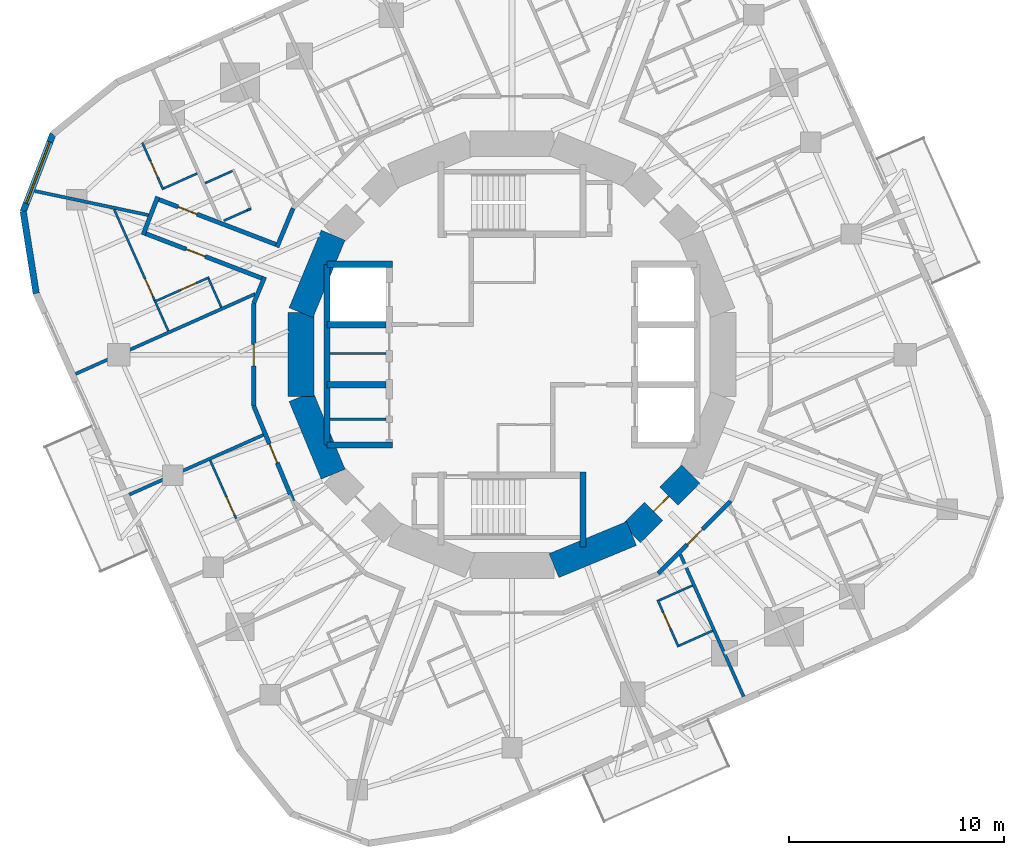
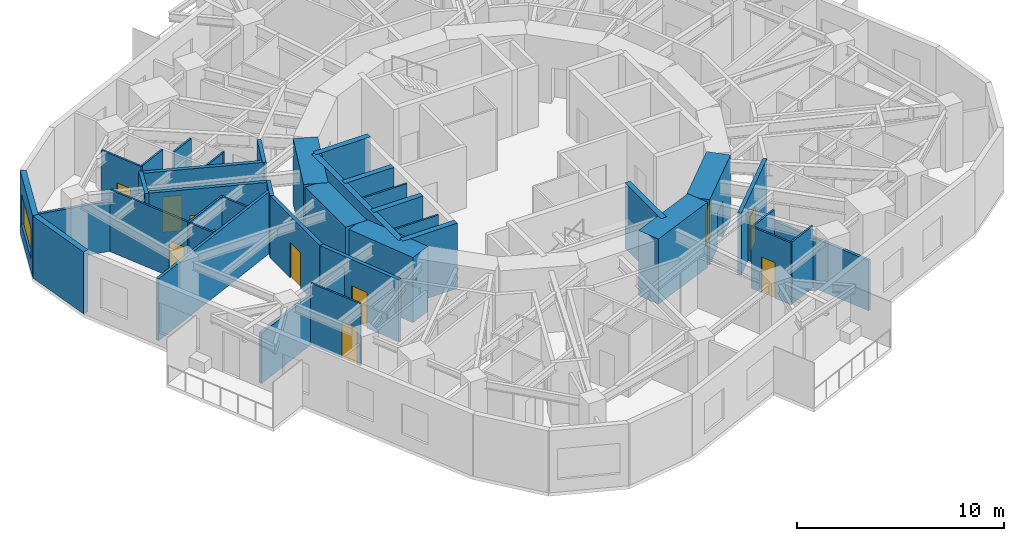
# One storey, part 6 of 12: 40 walls, 11 doors, 1 window, 12 openings.
"""IFC4 building model written with IfcOpenShell, lengths in metres."""

from ifc_helpers import new_model, si_unit, direction, frame, frame_2d, origin, place, context, subcontext, project, spatial, rectangle, extrude, material, layer, layer_set, type_object, element, fill, save


model = new_model("IFC4")

# Units and contexts
model_context = context("Model", 3, precision=1e-05, world=origin(), true_north=direction((0.0, 1.0)))
body_context = subcontext(model_context, "Body", "Model", "MODEL_VIEW")
ifc_project = project(units=[si_unit("LENGTHUNIT", "METRE"), si_unit("AREAUNIT", "SQUARE_METRE"), si_unit("VOLUMEUNIT", "CUBIC_METRE"), si_unit("PLANEANGLEUNIT", "RADIAN"), si_unit("MASSUNIT", "GRAM", prefix="KILO")], contexts=[model_context])

# Site, building, storey
site_placement = place(None, origin())
site = spatial("IfcSite", under=ifc_project, at=site_placement, CompositionType="ELEMENT")
building_placement = place(site_placement, origin())
building = spatial("IfcBuilding", under=site, at=building_placement, Name="Nakasero Lantern House", CompositionType="ELEMENT")
storey_placement = place(building_placement, frame((0.0, 0.0, 190.14990234375)))
storey = spatial("IfcBuildingStorey", under=building, at=storey_placement, Name="L46", CompositionType="ELEMENT", Elevation=190.14990234375)

# Walls
ifc_material_1 = material(Name="Concrete C50/60", Category="concrete")
ifc_layer_1 = layer(ifc_material_1, 0.300048828125)
ifc_layer_set_1 = layer_set([ifc_layer_1], Name="Core inner wall 300")
wall_type_1 = type_object("IfcWallType", Name="Core inner wall 300", PredefinedType="SHEAR", material=ifc_layer_set_1)
for number, where, z_axis, x_axis, name in (
    (1, (-8.60009765625, 4.199951171875, 0.0), (0.0, 0.0, 1.0), (1.0, 0.0, 0.0), "Core inner wall L46 LWN"),
    (2, (-8.60009765625, -4.199951171875, 0.0), (0.0, 0.0, 1.0), (1.0, 0.0, 0.0), "Core inner wall L46 LWS"),
):
    element("IfcWall", number, at=place(storey_placement, frame(where, z_axis=z_axis, x_axis=x_axis)), inside=storey, type_object=wall_type_1, Name=name, PredefinedType="SHEAR", context=body_context, shape_type="SweptSolid", body=[
        extrude(rectangle(XDim=3.050048828125, YDim=0.300048828125, at=frame_2d((1.52490234375, 0.0))), origin(), (0.0, 0.0, 1.0), 3.85009765625),
    ])
wall_1_placement = place(storey_placement, frame((-8.60009765625, -4.199951171875, 0.0), z_axis=(0.0, 0.0, 1.0), x_axis=(0.0, 1.0, 0.0)))
element("IfcWall", 3, at=wall_1_placement, inside=storey, type_object=wall_type_1, Name="Core inner wall L46 LWB", PredefinedType="SHEAR", context=body_context, shape_type="SweptSolid", body=[
    extrude(rectangle(XDim=8.39990234375, YDim=0.300048828125, at=frame_2d((4.199951171875, 0.0))), origin(), (0.0, 0.0, 1.0), 3.85009765625),
])
for number, where, z_axis, x_axis, name in (
    (4, (-8.60009765625, -1.39990234375, 0.0), (0.0, 0.0, 1.0), (1.0, 0.0, 0.0), "Core inner wall L46 LW1"),
    (5, (-8.60009765625, 1.39990234375, 0.0), (0.0, 0.0, 1.0), (1.0, 0.0, 0.0), "Core inner wall L46 LW2"),
):
    element("IfcWall", number, at=place(storey_placement, frame(where, z_axis=z_axis, x_axis=x_axis)), inside=storey, type_object=wall_type_1, Name=name, PredefinedType="SHEAR", context=body_context, shape_type="SweptSolid", body=[
        extrude(rectangle(XDim=2.75, YDim=0.300048828125, at=frame_2d((1.375, 0.0))), origin(), (0.0, 0.0, 1.0), 3.85009765625),
    ])
wall_2_placement = place(storey_placement, frame((3.300048828125, -5.449951171875, 0.0), z_axis=(0.0, 0.0, 1.0), x_axis=(0.0, -1.0, 0.0)))
element("IfcWall", 6, at=wall_2_placement, inside=storey, type_object=wall_type_1, Name="Core inner wall L46 SSE", PredefinedType="SHEAR", context=body_context, shape_type="SweptSolid", body=[
    extrude(rectangle(XDim=3.5, YDim=0.300048828125, at=frame_2d((1.75, 0.0))), origin(), (0.0, 0.0, 1.0), 3.85009765625),
])
ifc_material_2 = material(Name="Blockwork", Category="masonry")
ifc_layer_2 = layer(ifc_material_2, 0.10009765625)
ifc_layer_set_2 = layer_set([ifc_layer_2], Name="Core room wall 100")
wall_type_2 = type_object("IfcWallType", Name="Core room wall 100", PredefinedType="PARTITIONING", material=ifc_layer_set_2)
for number, where, z_axis, x_axis, name in (
    (7, (-8.449951171875, -3.0, 0.0), (0.0, 0.0, 1.0), (1.0, 0.0, 0.0), "Core room wall L46 CR-SH-LW1b"),
    (8, (-8.449951171875, 0.050048828125, 0.0), (0.0, 0.0, 1.0), (1.0, 0.0, 0.0), "Core room wall L46 CR-SH-LW2b"),
):
    element("IfcWall", number, at=place(storey_placement, frame(where, z_axis=z_axis, x_axis=x_axis)), inside=storey, type_object=wall_type_2, Name=name, PredefinedType="PARTITIONING", context=body_context, shape_type="SweptSolid", body=[
        extrude(rectangle(XDim=2.599853515625, YDim=0.10009765625, at=frame_2d((1.2998046875, 0.0))), origin(), (0.0, 0.0, 1.0), 3.650146484375),
    ])
ifc_material_3 = material(Name="Concrete C50/60", Category="concrete")
ifc_layer_3 = layer(ifc_material_3, 1.199951171875)
ifc_layer_set_3 = layer_set([ifc_layer_3], Name="Core wall 1200")
wall_type_3 = type_object("IfcWallType", Name="Core wall 1200", PredefinedType="SHEAR", material=ifc_layer_set_3)
for number, where, z_axis, x_axis, name in (
    (9, (-8.314697265625, 5.5556640625, 0.0), (0.0, 0.0, 1.0), (-0.382690736062, -0.923876507187, 0.0), "Core wall L46 facet 7"),
    (10, (-9.807861328125, 1.950927734375, 0.0), (0.0, 0.0, 1.0), (0.0, -1.0, 0.0), "Core wall L46 facet 8"),
    (11, (-9.807861328125, -1.950927734375, 0.0), (0.0, 0.0, 1.0), (0.382690736062, -0.923876507187, 0.0), "Core wall L46 facet 9"),
    (12, (1.950927734375, -9.807861328125, 0.0), (0.0, 0.0, 1.0), (0.923876507187, 0.382690736062, 0.0), "Core wall L46 facet 13"),
):
    element("IfcWall", number, at=place(storey_placement, frame(where, z_axis=z_axis, x_axis=x_axis)), inside=storey, type_object=wall_type_3, Name=name, PredefinedType="SHEAR", context=body_context, shape_type="SweptSolid", body=[
        extrude(rectangle(XDim=3.90185546875, YDim=1.199951171875, at=frame_2d((1.950927734375, 0.0))), origin(), (0.0, 0.0, 1.0), 3.85009765625),
    ])

# Wall, opening, door
wall_3_placement = place(storey_placement, frame((5.5556640625, -8.314697265625, 0.0), z_axis=(0.0, 0.0, 1.0), x_axis=(0.707106781187, 0.707106781187, 0.0)))
wall_3 = element("IfcWall", 13, at=wall_3_placement, inside=storey, type_object=wall_type_3, Name="Core wall L46 facet 14", PredefinedType="SHEAR", context=body_context, shape_type="SweptSolid", body=[
    extrude(rectangle(XDim=3.90185546875, YDim=1.199951171875, at=frame_2d((1.950927734375, 0.0))), origin(), (0.0, 0.0, 1.0), 3.85009765625),
])
opening_1_placement = place(wall_3_placement, frame((1.450927734375, 0.0, 0.0)))
opening_1 = element("IfcOpeningElement", 14, at=opening_1_placement, cuts=wall_3, Name="Opening D05", PredefinedType="OPENING", context=body_context, shape_type="SweptSolid", body=[
    extrude(rectangle(XDim=1.0, YDim=2.10009765625, at=frame_2d((0.5, 1.050048828125))), frame((0.0, 0.619873046875, 0.0), z_axis=(0.0, -1.0, 0.0), x_axis=(1.0, 0.0, 0.0)), (0.0, 0.0, 1.0), 1.239990234375),
])
ifc_material_4 = material(Name="Timber C24", Category="wood")
door_type_1 = type_object("IfcDoorType", Name="Core door FD60S 1000", OperationType="SINGLE_SWING_LEFT", PredefinedType="DOOR", material=ifc_material_4)
door_1_placement = place(opening_1_placement, origin())
door_1 = element("IfcDoor", 15, at=door_1_placement, inside=storey, type_object=door_type_1, Name="Door L46 D-CORE14", OperationType="SINGLE_SWING_LEFT", OverallHeight=2.10009765625, OverallWidth=1.0, PredefinedType="DOOR", context=body_context, shape_type="SweptSolid", body=[
    extrude(rectangle(XDim=1.0, YDim=2.10009765625, at=frame_2d((0.5, 1.050048828125))), frame((0.0, 0.02490234375, 0.0), z_axis=(0.0, -1.0, 0.0), x_axis=(1.0, 0.0, 0.0)), (0.0, 0.0, 1.0), 0.050048828125),
])
fill(opening_1, door_1)

ifc_material_5 = material(Name="Blockwork", Category="masonry")
ifc_layer_4 = layer(ifc_material_5, 0.199951171875)
ifc_layer_set_4 = layer_set([ifc_layer_4], Name="Corridor wall 200")
wall_type_4 = type_object("IfcWallType", Name="Corridor wall 200", PredefinedType="PARTITIONING", material=ifc_layer_set_4)
wall_4_placement = place(storey_placement, frame((10.1796875, -6.802001953125, 0.0), z_axis=(0.0, 0.0, 1.0), x_axis=(-0.707106781187, -0.707106781187, 0.0)))
wall_4 = element("IfcWall", 16, at=wall_4_placement, inside=storey, type_object=wall_type_4, Name="Corridor wall L46 RC02a", PredefinedType="PARTITIONING", context=body_context, shape_type="SweptSolid", body=[
    extrude(rectangle(XDim=4.77685546875, YDim=0.199951171875, at=frame_2d((2.388427734375, 0.0))), origin(), (0.0, 0.0, 1.0), 3.650146484375),
])
opening_2_placement = place(wall_4_placement, frame((1.8701171875, 0.0, 0.0)))
opening_2 = element("IfcOpeningElement", 17, at=opening_2_placement, cuts=wall_4, Name="Opening D14", PredefinedType="OPENING", context=body_context, shape_type="SweptSolid", body=[
    extrude(rectangle(XDim=1.0, YDim=2.10009765625, at=frame_2d((0.5, 1.050048828125))), frame((0.0, 0.119873046875, 0.0), z_axis=(0.0, -1.0, 0.0), x_axis=(1.0, 0.0, 0.0)), (0.0, 0.0, 1.0), 0.239990234375),
])
ifc_material_6 = material(Name="Timber C24", Category="wood")
door_type_2 = type_object("IfcDoorType", Name="Cluster entrance door FD30S 1000", OperationType="SINGLE_SWING_LEFT", PredefinedType="DOOR", material=ifc_material_6)
door_2_placement = place(opening_2_placement, origin())
door_2 = element("IfcDoor", 18, at=door_2_placement, inside=storey, type_object=door_type_2, Name="Door L46 D3-04", OperationType="SINGLE_SWING_LEFT", OverallHeight=2.10009765625, OverallWidth=1.0, PredefinedType="DOOR", context=body_context, shape_type="SweptSolid", body=[
    extrude(rectangle(XDim=1.0, YDim=2.10009765625, at=frame_2d((0.5, 1.050048828125))), frame((0.0, 0.02490234375, 0.0), z_axis=(0.0, -1.0, 0.0), x_axis=(1.0, 0.0, 0.0)), (0.0, 0.0, 1.0), 0.050048828125),
])
fill(opening_2, door_2)

wall_5_placement = place(storey_placement, frame((-10.1796875, -6.802001953125, 0.0), z_axis=(0.0, 0.0, 1.0), x_axis=(-0.382676767893, 0.923882292998, 0.0)))
wall_5 = element("IfcWall", 19, at=wall_5_placement, inside=storey, type_object=wall_type_4, Name="Corridor wall L46 RC07a", PredefinedType="PARTITIONING", context=body_context, shape_type="SweptSolid", body=[
    extrude(rectangle(XDim=4.777099609375, YDim=0.199951171875, at=frame_2d((2.388671875, 0.0))), origin(), (0.0, 0.0, 1.0), 3.650146484375),
])
opening_3_placement = place(wall_5_placement, frame((1.919921875, 0.0, 0.0)))
opening_3 = element("IfcOpeningElement", 20, at=opening_3_placement, cuts=wall_5, Name="Opening D01", PredefinedType="OPENING", context=body_context, shape_type="SweptSolid", body=[
    extrude(rectangle(XDim=0.949951171875, YDim=2.10009765625, at=frame_2d((0.47509765625, 1.050048828125))), frame((0.0, 0.119873046875, 0.0), z_axis=(0.0, -1.0, 0.0), x_axis=(1.0, 0.0, 0.0)), (0.0, 0.0, 1.0), 0.239990234375),
])
ifc_material_7 = material(Name="Timber C24", Category="wood")
door_type_3 = type_object("IfcDoorType", Name="Bedroom door FD30S 950", OperationType="SINGLE_SWING_LEFT", PredefinedType="DOOR", material=ifc_material_7)
door_3_placement = place(opening_3_placement, origin())
door_3 = element("IfcDoor", 21, at=door_3_placement, inside=storey, type_object=door_type_3, Name="Door L46 D2-03", OperationType="SINGLE_SWING_RIGHT", OverallHeight=2.10009765625, OverallWidth=0.949951171875, PredefinedType="DOOR", context=body_context, shape_type="SweptSolid", body=[
    extrude(rectangle(XDim=0.949951171875, YDim=2.10009765625, at=frame_2d((0.47509765625, 1.050048828125))), frame((0.0, 0.02490234375, 0.0), z_axis=(0.0, -1.0, 0.0), x_axis=(1.0, 0.0, 0.0)), (0.0, 0.0, 1.0), 0.050048828125),
])
fill(opening_3, door_3)

wall_6_placement = place(storey_placement, frame((-12.0078125, -2.388427734375, 0.0), z_axis=(0.0, 0.0, 1.0), x_axis=(0.0, 1.0, 0.0)))
wall_6 = element("IfcWall", 22, at=wall_6_placement, inside=storey, type_object=wall_type_4, Name="Corridor wall L46 RC08a", PredefinedType="PARTITIONING", context=body_context, shape_type="SweptSolid", body=[
    extrude(rectangle(XDim=4.77685546875, YDim=0.199951171875, at=frame_2d((2.388427734375, 0.0))), origin(), (0.0, 0.0, 1.0), 3.650146484375),
])
opening_4_placement = place(wall_6_placement, frame((1.8701171875, 0.0, 0.0)))
opening_4 = element("IfcOpeningElement", 23, at=opening_4_placement, cuts=wall_6, Name="Opening D03", PredefinedType="OPENING", context=body_context, shape_type="SweptSolid", body=[
    extrude(rectangle(XDim=1.0, YDim=2.10009765625, at=frame_2d((0.5, 1.050048828125))), frame((0.0, 0.119873046875, 0.0), z_axis=(0.0, -1.0, 0.0), x_axis=(1.0, 0.0, 0.0)), (0.0, 0.0, 1.0), 0.239990234375),
])
ifc_material_8 = material(Name="Timber C24", Category="wood")
door_type_4 = type_object("IfcDoorType", Name="Lounge door FD30S 1000", OperationType="SINGLE_SWING_LEFT", PredefinedType="DOOR", material=ifc_material_8)
door_4_placement = place(opening_4_placement, origin())
door_4 = element("IfcDoor", 24, at=door_4_placement, inside=storey, type_object=door_type_4, Name="Door L46 DK2", OperationType="SINGLE_SWING_LEFT", OverallHeight=2.10009765625, OverallWidth=1.0, PredefinedType="DOOR", context=body_context, shape_type="SweptSolid", body=[
    extrude(rectangle(XDim=1.0, YDim=2.10009765625, at=frame_2d((0.5, 1.050048828125))), frame((0.0, 0.02490234375, 0.0), z_axis=(0.0, -1.0, 0.0), x_axis=(1.0, 0.0, 0.0)), (0.0, 0.0, 1.0), 0.050048828125),
])
fill(opening_4, door_4)

# Walls
wall_7_placement = place(storey_placement, frame((-12.0078125, 2.388427734375, 0.0), z_axis=(0.0, 0.0, 1.0), x_axis=(0.382650385623, 0.923893220228, 0.0)))
element("IfcWall", 25, at=wall_7_placement, inside=storey, type_object=wall_type_4, Name="Corridor wall L46 RC09a", PredefinedType="PARTITIONING", context=body_context, shape_type="SweptSolid", body=[
    extrude(rectangle(XDim=1.323974609375, YDim=0.199951171875, at=frame_2d((0.662109375, 0.0))), origin(), (0.0, 0.0, 1.0), 3.650146484375),
])
wall_8_placement = place(storey_placement, frame((-10.927001953125, 4.997802734375, 0.0), z_axis=(0.0, 0.0, 1.0), x_axis=(0.382679353297, 0.923881222106, 0.0)))
element("IfcWall", 26, at=wall_8_placement, inside=storey, type_object=wall_type_4, Name="Corridor wall L46 RC09b", PredefinedType="PARTITIONING", context=body_context, shape_type="SweptSolid", body=[
    extrude(rectangle(XDim=1.952880859375, YDim=0.199951171875, at=frame_2d((0.9765625, 0.0))), origin(), (0.0, 0.0, 1.0), 3.650146484375),
])

# Wall, opening, door
wall_9_placement = place(storey_placement, frame((-10.888671875, 5.09033203125, 0.0), z_axis=(0.0, 0.0, 1.0), x_axis=(-0.933587089798, 0.35835059057, 0.0)))
wall_9 = element("IfcWall", 27, at=wall_9_placement, inside=storey, type_object=wall_type_4, Name="Corridor wall L46 SP1a", PredefinedType="PARTITIONING", context=body_context, shape_type="SweptSolid", body=[
    extrude(rectangle(XDim=6.117919921875, YDim=0.199951171875, at=frame_2d((3.05908203125, 0.0))), origin(), (0.0, 0.0, 1.0), 3.650146484375),
])
opening_5_placement = place(wall_9_placement, frame((4.02001953125, 0.0, 0.0)))
opening_5 = element("IfcOpeningElement", 28, at=opening_5_placement, cuts=wall_9, Name="Opening D01", PredefinedType="OPENING", context=body_context, shape_type="SweptSolid", body=[
    extrude(rectangle(XDim=0.949951171875, YDim=2.10009765625, at=frame_2d((0.47509765625, 1.050048828125))), frame((0.0, 0.119873046875, 0.0), z_axis=(0.0, -1.0, 0.0), x_axis=(1.0, 0.0, 0.0)), (0.0, 0.0, 1.0), 0.239990234375),
])
door_5_placement = place(opening_5_placement, origin())
door_5 = element("IfcDoor", 29, at=door_5_placement, inside=storey, type_object=door_type_3, Name="Door L46 D1-06", OperationType="SINGLE_SWING_RIGHT", OverallHeight=2.10009765625, OverallWidth=0.949951171875, PredefinedType="DOOR", context=body_context, shape_type="SweptSolid", body=[
    extrude(rectangle(XDim=0.949951171875, YDim=2.10009765625, at=frame_2d((0.47509765625, 1.050048828125))), frame((0.0, 0.02490234375, 0.0), z_axis=(0.0, -1.0, 0.0), x_axis=(1.0, 0.0, 0.0)), (0.0, 0.0, 1.0), 0.050048828125),
])
fill(opening_5, door_5)

wall_10_placement = place(storey_placement, frame((-11.53955078125, 3.51904296875, 0.0), z_axis=(0.0, 0.0, 1.0), x_axis=(-0.93357023507, 0.358394497993, 0.0)))
wall_10 = element("IfcWall", 30, at=wall_10_placement, inside=storey, type_object=wall_type_4, Name="Corridor wall L46 SP1b", PredefinedType="PARTITIONING", context=body_context, shape_type="SweptSolid", body=[
    extrude(rectangle(XDim=6.07373046875, YDim=0.199951171875, at=frame_2d((3.036865234375, 0.0))), origin(), (0.0, 0.0, 1.0), 3.650146484375),
])
opening_6_placement = place(wall_10_placement, frame((2.919921875, 0.0, 0.0)))
opening_6 = element("IfcOpeningElement", 31, at=opening_6_placement, cuts=wall_10, Name="Opening D01", PredefinedType="OPENING", context=body_context, shape_type="SweptSolid", body=[
    extrude(rectangle(XDim=0.949951171875, YDim=2.10009765625, at=frame_2d((0.47509765625, 1.050048828125))), frame((0.0, 0.119873046875, 0.0), z_axis=(0.0, -1.0, 0.0), x_axis=(1.0, 0.0, 0.0)), (0.0, 0.0, 1.0), 0.239990234375),
])
door_6_placement = place(opening_6_placement, origin())
door_6 = element("IfcDoor", 32, at=door_6_placement, inside=storey, type_object=door_type_3, Name="Door L46 D2-00", OperationType="SINGLE_SWING_RIGHT", OverallHeight=2.10009765625, OverallWidth=0.949951171875, PredefinedType="DOOR", context=body_context, shape_type="SweptSolid", body=[
    extrude(rectangle(XDim=0.949951171875, YDim=2.10009765625, at=frame_2d((0.47509765625, 1.050048828125))), frame((0.0, 0.02490234375, 0.0), z_axis=(0.0, -1.0, 0.0), x_axis=(1.0, 0.0, 0.0)), (0.0, 0.0, 1.0), 0.050048828125),
])
fill(opening_6, door_6)

# Walls
wall_11_placement = place(storey_placement, frame((-16.47119140625, 7.34033203125, 0.0), z_axis=(0.0, 0.0, 1.0), x_axis=(-0.3583504709, -0.933587135733, 0.0)))
element("IfcWall", 33, at=wall_11_placement, inside=storey, type_object=wall_type_4, Name="Corridor wall L46 SP1e", PredefinedType="PARTITIONING", context=body_context, shape_type="SweptSolid", body=[
    extrude(rectangle(XDim=1.900146484375, YDim=0.199951171875, at=frame_2d((0.9501953125, 0.0))), origin(), (0.0, 0.0, 1.0), 3.650146484375),
])
ifc_material_9 = material(Name="Blockwork", Category="masonry")
ifc_layer_5 = layer(ifc_material_9, 0.10009765625)
ifc_layer_set_5 = layer_set([ifc_layer_5], Name="En-suite wall 100")
wall_type_5 = type_object("IfcWallType", Name="En-suite wall 100", PredefinedType="PARTITIONING", material=ifc_layer_set_5)
wall_12_placement = place(storey_placement, frame((-12.992431640625, 8.542236328125, 0.0), z_axis=(0.0, 0.0, 1.0), x_axis=(-0.913487636581, -0.406866486472, 0.0)))
element("IfcWall", 34, at=wall_12_placement, inside=storey, type_object=wall_type_5, Name="En-suite wall L46 EE1-05", PredefinedType="PARTITIONING", context=body_context, shape_type="SweptSolid", body=[
    extrude(rectangle(XDim=1.39990234375, YDim=0.10009765625, at=frame_2d((0.699951171875, 0.0))), origin(), (0.0, 0.0, 1.0), 3.650146484375),
])

# Wall, opening, door
wall_13_placement = place(storey_placement, frame((-16.215087890625, 7.66748046875, 0.0), z_axis=(0.0, 0.0, 1.0), x_axis=(-0.40677069889, 0.913530294257, 0.0)))
wall_13 = element("IfcWall", 35, at=wall_13_placement, inside=storey, type_object=wall_type_5, Name="En-suite wall L46 ES1-06", PredefinedType="PARTITIONING", context=body_context, shape_type="SweptSolid", body=[
    extrude(rectangle(XDim=2.400146484375, YDim=0.10009765625, at=frame_2d((1.2001953125, 0.0))), origin(), (0.0, 0.0, 1.0), 3.650146484375),
])
opening_7_placement = place(wall_13_placement, frame((0.64990234375, 0.0, 0.0)))
opening_7 = element("IfcOpeningElement", 36, at=opening_7_placement, cuts=wall_13, Name="Opening D02", PredefinedType="OPENING", context=body_context, shape_type="SweptSolid", body=[
    extrude(rectangle(XDim=0.800048828125, YDim=2.10009765625, at=frame_2d((0.39990234375, 1.050048828125))), frame((0.0, 0.070068359375, 0.0), z_axis=(0.0, -1.0, 0.0), x_axis=(1.0, 0.0, 0.0)), (0.0, 0.0, 1.0), 0.14013671875),
])
ifc_material_10 = material(Name="Timber C24", Category="wood")
door_type_5 = type_object("IfcDoorType", Name="En-suite door 800", OperationType="SINGLE_SWING_RIGHT", PredefinedType="DOOR", material=ifc_material_10)
door_7_placement = place(opening_7_placement, origin())
door_7 = element("IfcDoor", 37, at=door_7_placement, inside=storey, type_object=door_type_5, Name="Door L46 DE1-06", OperationType="SINGLE_SWING_LEFT", OverallHeight=2.10009765625, OverallWidth=0.800048828125, PredefinedType="DOOR", context=body_context, shape_type="SweptSolid", body=[
    extrude(rectangle(XDim=0.800048828125, YDim=2.10009765625, at=frame_2d((0.39990234375, 1.050048828125))), frame((0.0, 0.02490234375, 0.0), z_axis=(0.0, -1.0, 0.0), x_axis=(1.0, 0.0, 0.0)), (0.0, 0.0, 1.0), 0.050048828125),
])
fill(opening_7, door_7)

# Wall
wall_14_placement = place(storey_placement, frame((-14.63671875, 8.425048828125, 0.0), z_axis=(0.0, 0.0, 1.0), x_axis=(-0.91357452948, -0.406671340378, 0.0)))
element("IfcWall", 38, at=wall_14_placement, inside=storey, type_object=wall_type_5, Name="En-suite wall L46 EI1-06", PredefinedType="PARTITIONING", context=body_context, shape_type="SweptSolid", body=[
    extrude(rectangle(XDim=1.7001953125, YDim=0.10009765625, at=frame_2d((0.85009765625, 0.0))), origin(), (0.0, 0.0, 1.0), 3.650146484375),
])

# Wall, opening, door
wall_15_placement = place(storey_placement, frame((-14.079345703125, 3.594482421875, 0.0), z_axis=(0.0, 0.0, 1.0), x_axis=(-0.913534471978, -0.406761316386, 0.0)))
wall_15 = element("IfcWall", 39, at=wall_15_placement, inside=storey, type_object=wall_type_5, Name="En-suite wall L46 ES2-00", PredefinedType="PARTITIONING", context=body_context, shape_type="SweptSolid", body=[
    extrude(rectangle(XDim=2.800048828125, YDim=0.10009765625, at=frame_2d((1.39990234375, 0.0))), origin(), (0.0, 0.0, 1.0), 3.650146484375),
])
opening_8_placement = place(wall_15_placement, frame((0.64990234375, 0.0, 0.0)))
opening_8 = element("IfcOpeningElement", 40, at=opening_8_placement, cuts=wall_15, Name="Opening D02", PredefinedType="OPENING", context=body_context, shape_type="SweptSolid", body=[
    extrude(rectangle(XDim=0.800048828125, YDim=2.10009765625, at=frame_2d((0.39990234375, 1.050048828125))), frame((0.0, 0.070068359375, 0.0), z_axis=(0.0, -1.0, 0.0), x_axis=(1.0, 0.0, 0.0)), (0.0, 0.0, 1.0), 0.14013671875),
])
door_8_placement = place(opening_8_placement, origin())
door_8 = element("IfcDoor", 41, at=door_8_placement, inside=storey, type_object=door_type_5, Name="Door L46 DE2-00", OperationType="SINGLE_SWING_LEFT", OverallHeight=2.10009765625, OverallWidth=0.800048828125, PredefinedType="DOOR", context=body_context, shape_type="SweptSolid", body=[
    extrude(rectangle(XDim=0.800048828125, YDim=2.10009765625, at=frame_2d((0.39990234375, 1.050048828125))), frame((0.0, 0.02490234375, 0.0), z_axis=(0.0, -1.0, 0.0), x_axis=(1.0, 0.0, 0.0)), (0.0, 0.0, 1.0), 0.050048828125),
])
fill(opening_8, door_8)

# Walls
for number, where, z_axis, x_axis, name in (
    (42, (-16.571044921875, 2.430419921875, 0.0), (0.0, 0.0, 1.0), (0.406622700638, -0.91359617957, 0.0), "En-suite wall L46 EE2-00"),
    (43, (-14.1044921875, 3.528564453125, 0.0), (0.0, 0.0, 1.0), (0.406622700638, -0.91359617957, 0.0), "En-suite wall L46 EI2-00"),
):
    element("IfcWall", number, at=place(storey_placement, frame(where, z_axis=z_axis, x_axis=x_axis)), inside=storey, type_object=wall_type_5, Name=name, PredefinedType="PARTITIONING", context=body_context, shape_type="SweptSolid", body=[
        extrude(rectangle(XDim=1.449951171875, YDim=0.10009765625, at=frame_2d((0.72509765625, 0.0))), origin(), (0.0, 0.0, 1.0), 3.650146484375),
    ])

# Wall, opening, door
wall_16_placement = place(storey_placement, frame((6.76904296875, -11.39892578125, 0.0), z_axis=(0.0, 0.0, 1.0), x_axis=(0.40677069889, -0.913530294257, 0.0)))
wall_16 = element("IfcWall", 44, at=wall_16_placement, inside=storey, type_object=wall_type_5, Name="En-suite wall L46 ES3-03", PredefinedType="PARTITIONING", context=body_context, shape_type="SweptSolid", body=[
    extrude(rectangle(XDim=2.400146484375, YDim=0.10009765625, at=frame_2d((1.2001953125, 0.0))), origin(), (0.0, 0.0, 1.0), 3.650146484375),
])
opening_9_placement = place(wall_16_placement, frame((0.64990234375, 0.0, 0.0)))
opening_9 = element("IfcOpeningElement", 45, at=opening_9_placement, cuts=wall_16, Name="Opening D15", PredefinedType="OPENING", context=body_context, shape_type="SweptSolid", body=[
    extrude(rectangle(XDim=0.800048828125, YDim=2.10009765625, at=frame_2d((0.39990234375, 1.050048828125))), frame((0.0, 0.070068359375, 0.0), z_axis=(0.0, -1.0, 0.0), x_axis=(1.0, 0.0, 0.0)), (0.0, 0.0, 1.0), 0.14013671875),
])
ifc_material_11 = material(Name="Timber C24", Category="wood")
door_type_6 = type_object("IfcDoorType", Name="Cleaner's store door FD30S 800", OperationType="SINGLE_SWING_LEFT", PredefinedType="DOOR", material=ifc_material_11)
door_9_placement = place(opening_9_placement, origin())
door_9 = element("IfcDoor", 46, at=door_9_placement, inside=storey, type_object=door_type_6, Name="Door L46 DE3-03", OperationType="SINGLE_SWING_LEFT", OverallHeight=2.10009765625, OverallWidth=0.800048828125, PredefinedType="DOOR", context=body_context, shape_type="SweptSolid", body=[
    extrude(rectangle(XDim=0.800048828125, YDim=2.10009765625, at=frame_2d((0.39990234375, 1.050048828125))), frame((0.0, 0.02490234375, 0.0), z_axis=(0.0, -1.0, 0.0), x_axis=(1.0, 0.0, 0.0)), (0.0, 0.0, 1.0), 0.050048828125),
])
fill(opening_9, door_9)

# Walls
wall_17_placement = place(storey_placement, frame((7.7705078125, -13.525390625, 0.0), z_axis=(0.0, 0.0, 1.0), x_axis=(0.91357452948, 0.406671340378, 0.0)))
element("IfcWall", 47, at=wall_17_placement, inside=storey, type_object=wall_type_5, Name="En-suite wall L46 EE3-03", PredefinedType="PARTITIONING", context=body_context, shape_type="SweptSolid", body=[
    extrude(rectangle(XDim=1.7001953125, YDim=0.10009765625, at=frame_2d((0.85009765625, 0.0))), origin(), (0.0, 0.0, 1.0), 3.650146484375),
])
wall_18_placement = place(storey_placement, frame((6.835205078125, -11.42431640625, 0.0), z_axis=(0.0, 0.0, 1.0), x_axis=(0.913550776237, 0.406724697108, 0.0)))
element("IfcWall", 48, at=wall_18_placement, inside=storey, type_object=wall_type_5, Name="En-suite wall L46 EI3-03", PredefinedType="PARTITIONING", context=body_context, shape_type="SweptSolid", body=[
    extrude(rectangle(XDim=1.699951171875, YDim=0.10009765625, at=frame_2d((0.85009765625, 0.0))), origin(), (0.0, 0.0, 1.0), 3.650146484375),
])

# Wall, opening, door
wall_19_placement = place(storey_placement, frame((-18.494140625, 6.749267578125, 0.0), z_axis=(0.0, 0.0, 1.0), x_axis=(0.406755138931, -0.913537222533, 0.0)))
wall_19 = element("IfcWall", 49, at=wall_19_placement, inside=storey, type_object=wall_type_5, Name="En-suite wall L46 EL2-00", PredefinedType="PARTITIONING", context=body_context, shape_type="SweptSolid", body=[
    extrude(rectangle(XDim=4.627685546875, YDim=0.10009765625, at=frame_2d((2.31396484375, 0.0))), origin(), (0.0, 0.0, 1.0), 3.650146484375),
])
opening_10_placement = place(wall_19_placement, frame((3.527587890625, 0.0, 0.0)))
opening_10 = element("IfcOpeningElement", 50, at=opening_10_placement, cuts=wall_19, Name="Opening D17", PredefinedType="OPENING", context=body_context, shape_type="SweptSolid", body=[
    extrude(rectangle(XDim=0.89990234375, YDim=2.10009765625, at=frame_2d((0.449951171875, 1.050048828125))), frame((0.0, 0.070068359375, 0.0), z_axis=(0.0, -1.0, 0.0), x_axis=(1.0, 0.0, 0.0)), (0.0, 0.0, 1.0), 0.14013671875),
])
ifc_material_12 = material(Name="Timber C24", Category="wood")
door_type_7 = type_object("IfcDoorType", Name="Bedroom door FD30S 900", OperationType="SINGLE_SWING_LEFT", PredefinedType="DOOR", material=ifc_material_12)
door_10_placement = place(opening_10_placement, origin())
door_10 = element("IfcDoor", 51, at=door_10_placement, inside=storey, type_object=door_type_7, Name="Door L46 DL2-00", OperationType="SINGLE_SWING_RIGHT", OverallHeight=2.10009765625, OverallWidth=0.89990234375, PredefinedType="DOOR", context=body_context, shape_type="SweptSolid", body=[
    extrude(rectangle(XDim=0.89990234375, YDim=2.10009765625, at=frame_2d((0.449951171875, 1.050048828125))), frame((0.0, 0.02490234375, 0.0), z_axis=(0.0, -1.0, 0.0), x_axis=(1.0, 0.0, 0.0)), (0.0, 0.0, 1.0), 0.050048828125),
])
fill(opening_10, door_10)

wall_20_placement = place(storey_placement, frame((-14.03125, -4.913818359375, 0.0), z_axis=(0.0, 0.0, 1.0), x_axis=(0.406787659366, -0.91352274202, 0.0)))
wall_20 = element("IfcWall", 52, at=wall_20_placement, inside=storey, type_object=wall_type_5, Name="En-suite wall L46 EL2-03", PredefinedType="PARTITIONING", context=body_context, shape_type="SweptSolid", body=[
    extrude(rectangle(XDim=2.96533203125, YDim=0.10009765625, at=frame_2d((1.482666015625, 0.0))), origin(), (0.0, 0.0, 1.0), 3.650146484375),
])
opening_11_placement = place(wall_20_placement, frame((1.865478515625, 0.0, 0.0)))
opening_11 = element("IfcOpeningElement", 53, at=opening_11_placement, cuts=wall_20, Name="Opening D17", PredefinedType="OPENING", context=body_context, shape_type="SweptSolid", body=[
    extrude(rectangle(XDim=0.89990234375, YDim=2.10009765625, at=frame_2d((0.449951171875, 1.050048828125))), frame((0.0, 0.070068359375, 0.0), z_axis=(0.0, -1.0, 0.0), x_axis=(1.0, 0.0, 0.0)), (0.0, 0.0, 1.0), 0.14013671875),
])
door_11_placement = place(opening_11_placement, origin())
door_11 = element("IfcDoor", 54, at=door_11_placement, inside=storey, type_object=door_type_7, Name="Door L46 DL2-03", OperationType="SINGLE_SWING_RIGHT", OverallHeight=2.10009765625, OverallWidth=0.89990234375, PredefinedType="DOOR", context=body_context, shape_type="SweptSolid", body=[
    extrude(rectangle(XDim=0.89990234375, YDim=2.10009765625, at=frame_2d((0.449951171875, 1.050048828125))), frame((0.0, 0.02490234375, 0.0), z_axis=(0.0, -1.0, 0.0), x_axis=(1.0, 0.0, 0.0)), (0.0, 0.0, 1.0), 0.050048828125),
])
fill(opening_11, door_11)

# Walls
wall_21_placement = place(storey_placement, frame((-13.400634765625, 6.225830078125, 0.0), z_axis=(0.0, 0.0, 1.0), x_axis=(0.913544055495, 0.406739792336, 0.0)))
element("IfcWall", 55, at=wall_21_placement, inside=storey, type_object=wall_type_5, Name="En-suite wall L46 EX001", PredefinedType="PARTITIONING", context=body_context, shape_type="SweptSolid", body=[
    extrude(rectangle(XDim=1.205322265625, YDim=0.10009765625, at=frame_2d((0.6025390625, 0.0))), origin(), (0.0, 0.0, 1.0), 3.650146484375),
])
wall_22_placement = place(storey_placement, frame((-12.153564453125, 6.78125, 0.0), z_axis=(0.0, 0.0, 1.0), x_axis=(-0.913117581485, -0.407696311466, 0.0)))
element("IfcWall", 56, at=wall_22_placement, inside=storey, type_object=wall_type_5, Name="En-suite wall L46 ES1-05R0", PredefinedType="PARTITIONING", context=body_context, shape_type="SweptSolid", body=[
    extrude(rectangle(XDim=0.159912109375, YDim=0.10009765625, at=frame_2d((0.080078125, 0.0))), origin(), (0.0, 0.0, 1.0), 3.650146484375),
])

# Wall, opening, window
ifc_material_13 = material(Name="Aluminium rainscreen on blockwork", Category="masonry")
ifc_layer_6 = layer(ifc_material_13, 0.300048828125)
ifc_layer_set_6 = layer_set([ifc_layer_6], Name="Facade wall 300")
wall_type_6 = type_object("IfcWallType", Name="Facade wall 300", PredefinedType="SOLIDWALL", material=ifc_layer_set_6)
wall_23_placement = place(storey_placement, frame((-21.342529296875, 10.258056640625, 0.0), z_axis=(0.0, 0.0, 1.0), x_axis=(-0.358321438858, -0.933598278948, 0.0)))
wall_23 = element("IfcWall", 57, at=wall_23_placement, inside=storey, type_object=wall_type_6, Name="Facade wall L46 FW1C2", PredefinedType="SOLIDWALL", context=body_context, shape_type="SweptSolid", body=[
    extrude(rectangle(XDim=3.8564453125, YDim=0.300048828125, at=frame_2d((1.92822265625, 0.0))), origin(), (0.0, 0.0, 1.0), 3.650146484375),
])
opening_12_placement = place(wall_23_placement, frame((0.39990234375, 0.0, 0.75)))
opening_12 = element("IfcOpeningElement", 58, at=opening_12_placement, cuts=wall_23, Name="Opening W230", PredefinedType="OPENING", context=body_context, shape_type="SweptSolid", body=[
    extrude(rectangle(XDim=3.055908203125, YDim=1.800048828125, at=frame_2d((1.52783203125, 0.89990234375))), frame((0.0, 0.169921875, 0.0), z_axis=(0.0, -1.0, 0.0), x_axis=(1.0, 0.0, 0.0)), (0.0, 0.0, 1.0), 0.340087890625),
])
ifc_material_14 = material(Name="Aluminium 6063-T6 and glass", Category="aluminium")
window_type = type_object("IfcWindowType", Name="Corner window 3056x1800", PartitioningType="SINGLE_PANEL", PredefinedType="WINDOW", material=ifc_material_14)
window_placement = place(opening_12_placement, origin())
window = element("IfcWindow", 59, at=window_placement, inside=storey, type_object=window_type, Name="Window L46 WC1", OverallHeight=1.800048828125, OverallWidth=3.055908203125, PartitioningType="SINGLE_PANEL", PredefinedType="WINDOW", context=body_context, shape_type="SweptSolid", body=[
    extrude(rectangle(XDim=3.055908203125, YDim=1.800048828125, at=frame_2d((1.52783203125, 0.89990234375))), frame((0.0, 0.030029296875, 0.0), z_axis=(0.0, -1.0, 0.0), x_axis=(1.0, 0.0, 0.0)), (0.0, 0.0, 1.0), 0.06005859375),
])
fill(opening_12, window)

# Walls
wall_24_placement = place(storey_placement, frame((-22.724365234375, 6.65771484375, 0.0), z_axis=(0.0, 0.0, 1.0), x_axis=(0.156437203878, -0.987687906802, 0.0)))
element("IfcWall", 60, at=wall_24_placement, inside=storey, type_object=wall_type_6, Name="Facade wall L46 FW1C3", PredefinedType="SOLIDWALL", context=body_context, shape_type="SweptSolid", body=[
    extrude(rectangle(XDim=3.856201171875, YDim=0.300048828125, at=frame_2d((1.92822265625, 0.0))), origin(), (0.0, 0.0, 1.0), 3.650146484375),
])
ifc_material_15 = material(Name="Blockwork", Category="masonry")
ifc_layer_7 = layer(ifc_material_15, 0.14990234375)
ifc_layer_set_7 = layer_set([ifc_layer_7], Name="Party wall 150")
wall_type_7 = type_object("IfcWallType", Name="Party wall 150", PredefinedType="PARTITIONING", material=ifc_layer_set_7)
wall_25_placement = place(storey_placement, frame((-16.905029296875, 6.4892578125, 0.0), z_axis=(0.0, 0.0, 1.0), x_axis=(-0.97828299633, 0.207273681618, 0.0)))
element("IfcWall", 61, at=wall_25_placement, inside=storey, type_object=wall_type_7, Name="Party wall L46 PW2-00", PredefinedType="PARTITIONING", context=body_context, shape_type="SweptSolid", body=[
    extrude(rectangle(XDim=5.4052734375, YDim=0.14990234375, at=frame_2d((2.70263671875, 0.0))), origin(), (0.0, 0.0, 1.0), 2.966552734375),
])
wall_26_placement = place(storey_placement, frame((-11.935302734375, 2.824951171875, 0.0), z_axis=(0.0, 0.0, 1.0), x_axis=(-0.91355156837, -0.40672291788, 0.0)))
element("IfcWall", 62, at=wall_26_placement, inside=storey, type_object=wall_type_7, Name="Party wall L46 PW2-01", PredefinedType="PARTITIONING", context=body_context, shape_type="SweptSolid", body=[
    extrude(rectangle(XDim=9.1455078125, YDim=0.14990234375, at=frame_2d((4.57275390625, 0.0))), origin(), (0.0, 0.0, 1.0), 3.650146484375),
])
wall_27_placement = place(storey_placement, frame((-11.559814453125, -3.7314453125, 0.0), z_axis=(0.0, 0.0, 1.0), x_axis=(-0.913544226514, -0.406739408224, 0.0)))
element("IfcWall", 63, at=wall_27_placement, inside=storey, type_object=wall_type_7, Name="Party wall L46 PW2-03", PredefinedType="PARTITIONING", context=body_context, shape_type="SweptSolid", body=[
    extrude(rectangle(XDim=6.82177734375, YDim=0.14990234375, at=frame_2d((3.410888671875, 0.0))), origin(), (0.0, 0.0, 1.0), 2.966552734375),
])
wall_28_placement = place(storey_placement, frame((7.829345703125, -9.293701171875, 0.0), z_axis=(0.0, 0.0, 1.0), x_axis=(0.406759125496, -0.913535447493, 0.0)))
element("IfcWall", 64, at=wall_28_placement, inside=storey, type_object=wall_type_7, Name="Party wall L46 PW3-04", PredefinedType="PARTITIONING", context=body_context, shape_type="SweptSolid", body=[
    extrude(rectangle(XDim=7.225341796875, YDim=0.14990234375, at=frame_2d((3.61279296875, 0.0))), origin(), (0.0, 0.0, 1.0), 2.966552734375),
])

save(model, "model.ifc")
